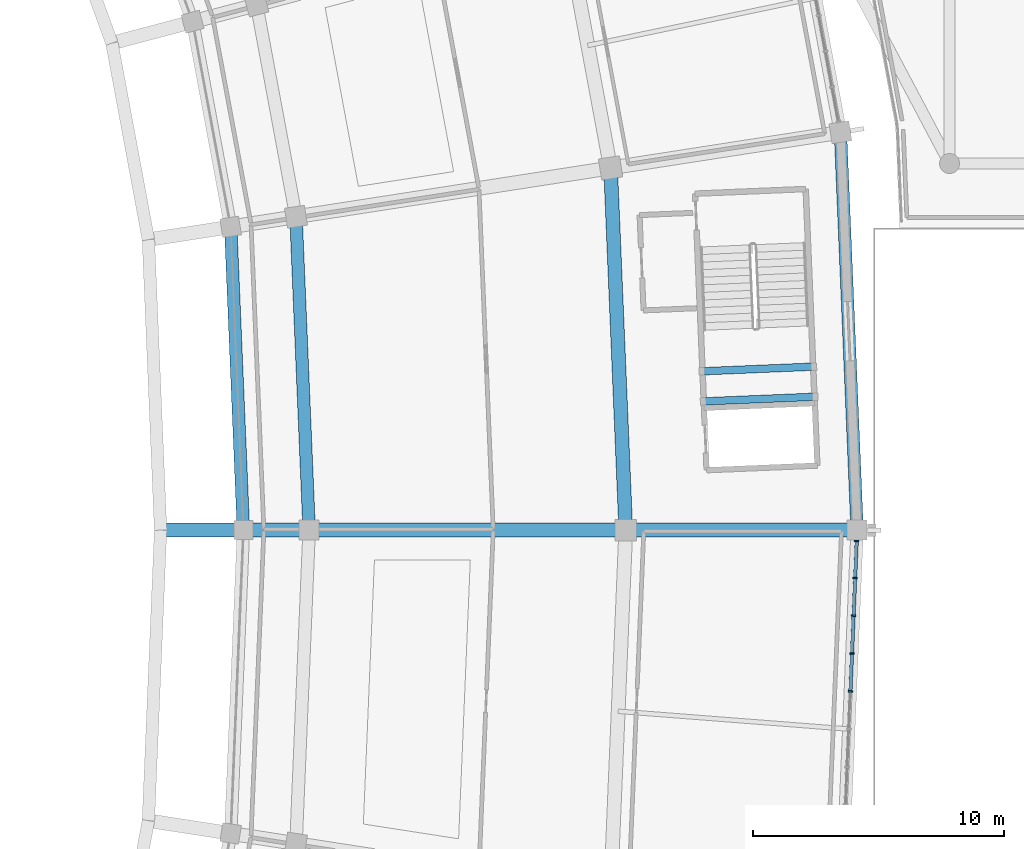
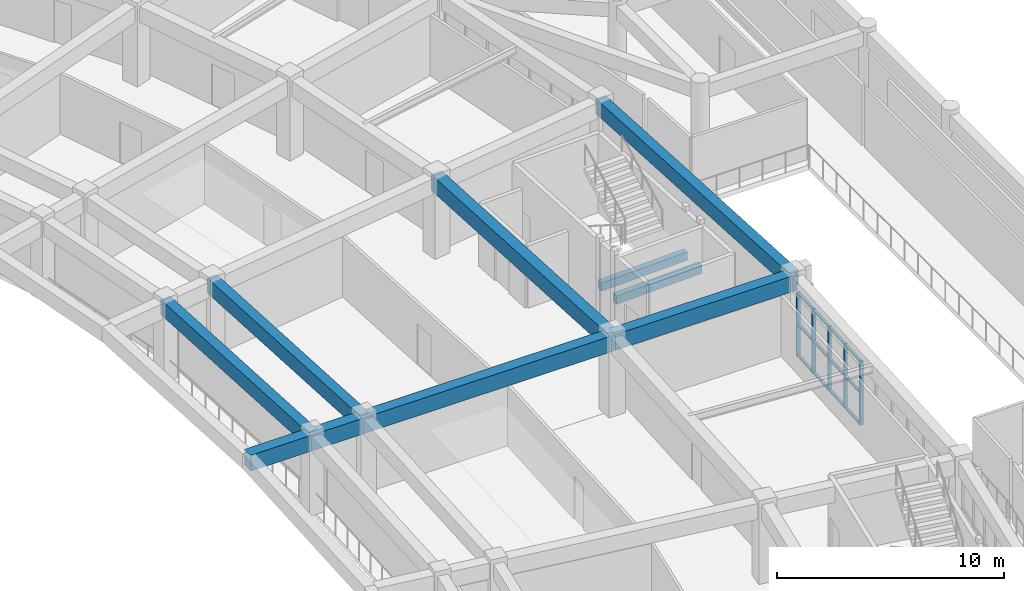
# One storey, part 49 of 145: 17 members, 8 beams, 1 element without a shape of its own.
"""IFC4 building model written with IfcOpenShell, lengths in metres."""

from ifc_helpers import new_model, si_unit, direction, frame, origin, origin_2d, place, context, subcontext, project, spatial, rectangle, extrude, material, layer, layer_set, material_profile, profile_set, type_object, element, aggregate, save


model = new_model("IFC4")

# Units and contexts
model_context = context("Model", 3, precision=1e-05, world=origin(), true_north=direction((0.0, 1.0)))
body_context = subcontext(model_context, "Body", "Model", "MODEL_VIEW")
ifc_project = project(units=[si_unit("LENGTHUNIT", "METRE"), si_unit("AREAUNIT", "SQUARE_METRE"), si_unit("VOLUMEUNIT", "CUBIC_METRE"), si_unit("PLANEANGLEUNIT", "RADIAN"), si_unit("MASSUNIT", "GRAM", prefix="KILO")], contexts=[model_context])

# Site, building, storey
site_placement = place(None, origin())
site = spatial("IfcSite", under=ifc_project, at=site_placement, CompositionType="ELEMENT")
building_placement = place(site_placement, origin())
building = spatial("IfcBuilding", under=site, at=building_placement, Name="Mphavela Belvedere Stadium", CompositionType="ELEMENT")
storey_placement = place(building_placement, frame((0.0, 0.0, 10.199951171875)))
storey = spatial("IfcBuildingStorey", under=building, at=storey_placement, Name="L02", CompositionType="ELEMENT", Elevation=10.199951171875)

# Beams
ifc_material_1 = material(Name="Concrete C40/50", Category="concrete")
ifc_material_profile_1 = material_profile(ifc_material_1, rectangle(XDim=0.300048828125, YDim=0.449951171875, at=origin_2d()), Name="RC 300x450")
ifc_profile_set_1 = profile_set([ifc_material_profile_1], Name="Concrete C40/50")
beam_type_1 = type_object("IfcBeamType", Name="BM-RC300x450", PredefinedType="BEAM", material=ifc_profile_set_1)
for number, where, z_axis, x_axis, name in (
    (1, (211.632080078125, 93.325439453125, 1.824951171875), (0.999122153252, 0.04189179968, 0.0), (-0.04189179968, 0.999122153252, 0.0), "Core C01 landing trimmer beam L02-1"),
    (2, (211.682373046875, 92.12646484375, 1.824951171875), (0.999122153252, 0.04189179968, 0.0), (-0.04189179968, 0.999122153252, 0.0), "Core C01 landing trimmer beam L02-2"),
):
    element("IfcBeam", number, at=place(storey_placement, frame(where, z_axis=z_axis, x_axis=x_axis)), inside=storey, type_object=beam_type_1, Name=name, PredefinedType="BEAM", context=body_context, shape_type="SweptSolid", body=[
        extrude(rectangle(XDim=0.300048828125, YDim=0.449951171875, at=origin_2d()), origin(), (0.0, 0.0, 1.0), 4.469970703125),
    ])
ifc_material_2 = material(Name="Concrete C40/50", Category="concrete")
ifc_material_profile_2 = material_profile(ifc_material_2, rectangle(XDim=0.5, YDim=0.800048828125, at=origin_2d()), Name="RC 500x800")
ifc_profile_set_2 = profile_set([ifc_material_profile_2], Name="Concrete C40/50")
beam_type_2 = type_object("IfcBeamType", Name="BM-RC500x800", PredefinedType="BEAM", material=ifc_profile_set_2)
beam_1_placement = place(storey_placement, frame((193.3759765625, 87.0, 3.85009765625), z_axis=(-0.041906072647, 0.999121554705, 0.0), x_axis=(-0.999121554705, -0.041906072647, 0.0)))
element("IfcBeam", 3, at=beam_1_placement, inside=storey, type_object=beam_type_2, Name="Circumferential girder L02 R1-01", PredefinedType="BEAM", context=body_context, shape_type="SweptSolid", body=[
    extrude(rectangle(XDim=0.5, YDim=0.800048828125, at=origin_2d()), origin(), (0.0, 0.0, 1.0), 12.088623046875),
])
beam_2_placement = place(storey_placement, frame((195.9951171875, 87.0, 3.85009765625), z_axis=(-0.04191911123, 0.999121007743, 0.0), x_axis=(-0.999121007743, -0.04191911123, 0.0)))
element("IfcBeam", 4, at=beam_2_placement, inside=storey, type_object=beam_type_2, Name="Circumferential girder L02 R2-01", PredefinedType="BEAM", context=body_context, shape_type="SweptSolid", body=[
    extrude(rectangle(XDim=0.5, YDim=0.800048828125, at=origin_2d()), origin(), (0.0, 0.0, 1.0), 12.49267578125),
])
ifc_material_3 = material(Name="Concrete C40/50", Category="concrete")
ifc_material_profile_3 = material_profile(ifc_material_3, rectangle(XDim=0.550048828125, YDim=0.85009765625, at=origin_2d()), Name="RC 550x850")
ifc_profile_set_3 = profile_set([ifc_material_profile_3], Name="Concrete C40/50")
beam_type_3 = type_object("IfcBeamType", Name="BM-RC550x850", PredefinedType="BEAM", material=ifc_profile_set_3)
beam_3_placement = place(storey_placement, frame((208.60498046875, 87.0, 3.824951171875), z_axis=(-0.041903450766, 0.99912166467, 0.0), x_axis=(-0.99912166467, -0.041903450766, 0.0)))
element("IfcBeam", 5, at=beam_3_placement, inside=storey, type_object=beam_type_3, Name="Circumferential girder L02 R3-01", PredefinedType="BEAM", context=body_context, shape_type="SweptSolid", body=[
    extrude(rectangle(XDim=0.550048828125, YDim=0.85009765625, at=origin_2d()), origin(), (0.0, 0.0, 1.0), 14.4375),
])
beam_4_placement = place(storey_placement, frame((208.60498046875, 87.0, 3.824951171875), z_axis=(1.0, 0.0, 0.0), x_axis=(0.0, 1.0, 0.0)))
element("IfcBeam", 6, at=beam_4_placement, inside=storey, type_object=beam_type_3, Name="Radial concourse girder L02 R3R4-01", PredefinedType="BEAM", context=body_context, shape_type="SweptSolid", body=[
    extrude(rectangle(XDim=0.550048828125, YDim=0.85009765625, at=origin_2d()), origin(), (0.0, 0.0, 1.0), 9.215087890625),
])
beam_5_placement = place(storey_placement, frame((190.077880859375, 87.0, 3.824951171875), z_axis=(1.0, 0.0, 0.0), x_axis=(0.0, 1.0, 0.0)))
element("IfcBeam", 7, at=beam_5_placement, inside=storey, type_object=beam_type_3, Name="Upper tier box-front outrigger girder 01", PredefinedType="BEAM", context=body_context, shape_type="SweptSolid", body=[
    extrude(rectangle(XDim=0.550048828125, YDim=0.85009765625, at=origin_2d()), origin(), (0.0, 0.0, 1.0), 18.527099609375),
])
ifc_material_4 = material(Name="Concrete C40/50", Category="concrete")
ifc_material_profile_4 = material_profile(ifc_material_4, rectangle(XDim=0.5, YDim=0.800048828125, at=origin_2d()), Name="RC 500x800")
ifc_profile_set_4 = profile_set([ifc_material_profile_4], Name="Concrete C40/50")
beam_type_4 = type_object("IfcBeamType", Name="BM-SPANDREL-800", PredefinedType="SPANDREL", material=ifc_profile_set_4)
beam_6_placement = place(storey_placement, frame((217.820068359375, 87.0, 3.85009765625), z_axis=(-0.041903963155, 0.999121643181, 0.0), x_axis=(-0.999121643181, -0.041903963155, 0.0)))
element("IfcBeam", 8, at=beam_6_placement, inside=storey, type_object=beam_type_4, Name="Circumferential girder L02 R4-01", PredefinedType="SPANDREL", context=body_context, shape_type="SweptSolid", body=[
    extrude(rectangle(XDim=0.5, YDim=0.800048828125, at=origin_2d()), origin(), (0.0, 0.0, 1.0), 15.85888671875),
])

# Curtain wall, members
ifc_material_5 = material(Name="Anodised bronze unitised curtain wall framing")
ifc_layer = layer(ifc_material_5, 0.205078125)
ifc_layer_set = layer_set([ifc_layer], Name="Anodised bronze unitised curtain wall framing")
curtain_wall_type = type_object("IfcCurtainWallType", Name="CW-UNIT-06", PredefinedType="USERDEFINED", material=ifc_layer_set)
curtain_wall_placement = place(storey_placement, origin())
curtain_wall = element("IfcCurtainWall", 9, at=curtain_wall_placement, inside=storey, type_object=curtain_wall_type, Name="Belvedere colonnade curtain wall L02-48", ObjectType="UNITISED CURTAIN WALL", PredefinedType="USERDEFINED")
ifc_material_6 = material(Name="Anodised bronze extruded aluminium", Category="aluminium")
ifc_material_profile_5 = material_profile(ifc_material_6, rectangle(XDim=0.179931640625, YDim=0.06494140625, at=origin_2d()), Name="CW-MUL 180x65")
ifc_profile_set_5 = profile_set([ifc_material_profile_5], Name="Anodised bronze extruded aluminium")
member_type_1 = type_object("IfcMemberType", Name="CWM-180x65", PredefinedType="MULLION", material=ifc_profile_set_5)
member_1_placement = place(storey_placement, frame((217.55078125, 80.58251953125, 0.0), z_axis=(0.0, 0.0, 1.0), x_axis=(-0.999121621767, 0.04190447371, 0.0)))
member_1 = element("IfcMember", 10, at=member_1_placement, type_object=member_type_1, Name="CW-06 mullion 7", PredefinedType="MULLION", context=body_context, shape_type="SweptSolid", body=[
    extrude(rectangle(XDim=0.179931640625, YDim=0.06494140625, at=origin_2d()), origin(), (0.0, 0.0, 1.0), 3.420166015625),
])
member_2_placement = place(storey_placement, frame((217.614013671875, 82.08740234375, 0.0), z_axis=(0.0, 0.0, 1.0), x_axis=(-0.999121621767, 0.04190447371, 0.0)))
member_2 = element("IfcMember", 11, at=member_2_placement, type_object=member_type_1, Name="CW-06 mullion 8", PredefinedType="MULLION", context=body_context, shape_type="SweptSolid", body=[
    extrude(rectangle(XDim=0.179931640625, YDim=0.06494140625, at=origin_2d()), origin(), (0.0, 0.0, 1.0), 3.420166015625),
])
member_3_placement = place(storey_placement, frame((217.677001953125, 83.59228515625, 0.0), z_axis=(0.0, 0.0, 1.0), x_axis=(-0.999121621767, 0.04190447371, 0.0)))
member_3 = element("IfcMember", 12, at=member_3_placement, type_object=member_type_1, Name="CW-06 mullion 9", PredefinedType="MULLION", context=body_context, shape_type="SweptSolid", body=[
    extrude(rectangle(XDim=0.179931640625, YDim=0.06494140625, at=origin_2d()), origin(), (0.0, 0.0, 1.0), 3.420166015625),
])
member_4_placement = place(storey_placement, frame((217.740234375, 85.097412109375, 0.0), z_axis=(0.0, 0.0, 1.0), x_axis=(-0.999121621767, 0.04190447371, 0.0)))
member_4 = element("IfcMember", 13, at=member_4_placement, type_object=member_type_1, Name="CW-06 mullion 10", PredefinedType="MULLION", context=body_context, shape_type="SweptSolid", body=[
    extrude(rectangle(XDim=0.179931640625, YDim=0.06494140625, at=origin_2d()), origin(), (0.0, 0.0, 1.0), 3.420166015625),
])
member_5_placement = place(storey_placement, frame((217.802001953125, 86.56982421875, 0.0), z_axis=(0.0, 0.0, 1.0), x_axis=(-0.999121621767, 0.04190447371, 0.0)))
member_5 = element("IfcMember", 14, at=member_5_placement, type_object=member_type_1, Name="CW-06 mullion 11", PredefinedType="MULLION", context=body_context, shape_type="SweptSolid", body=[
    extrude(rectangle(XDim=0.179931640625, YDim=0.06494140625, at=origin_2d()), origin(), (0.0, 0.0, 1.0), 3.420166015625),
])
ifc_material_7 = material(Name="Anodised bronze extruded aluminium", Category="aluminium")
ifc_material_profile_6 = material_profile(ifc_material_7, rectangle(XDim=0.139892578125, YDim=0.06005859375, at=origin_2d()), Name="CW-TRN 140x60")
ifc_profile_set_6 = profile_set([ifc_material_profile_6], Name="Anodised bronze extruded aluminium")
member_type_2 = type_object("IfcMemberType", Name="CWT-140x60", PredefinedType="USERDEFINED", material=ifc_profile_set_6)
member_6_placement = place(storey_placement, frame((217.55224609375, 80.614990234375, 0.030029296875), z_axis=(0.04184192744, 0.999124243079, 0.0), x_axis=(-0.999124243079, 0.04184192744, 0.0)))
member_6 = element("IfcMember", 15, at=member_6_placement, type_object=member_type_2, Name="CW-06 transom 7.1", ObjectType="TRANSOM", PredefinedType="USERDEFINED", context=body_context, shape_type="SweptSolid", body=[
    extrude(rectangle(XDim=0.139892578125, YDim=0.06005859375, at=origin_2d()), origin(), (0.0, 0.0, 1.0), 1.441162109375),
])
member_7_placement = place(storey_placement, frame((217.55224609375, 80.614990234375, 1.7099609375), z_axis=(0.04184192744, 0.999124243079, 0.0), x_axis=(-0.999124243079, 0.04184192744, 0.0)))
member_7 = element("IfcMember", 16, at=member_7_placement, type_object=member_type_2, Name="CW-06 transom 7.2", ObjectType="TRANSOM", PredefinedType="USERDEFINED", context=body_context, shape_type="SweptSolid", body=[
    extrude(rectangle(XDim=0.139892578125, YDim=0.06005859375, at=origin_2d()), origin(), (0.0, 0.0, 1.0), 1.441162109375),
])
member_8_placement = place(storey_placement, frame((217.55224609375, 80.614990234375, 3.39013671875), z_axis=(0.04184192744, 0.999124243079, 0.0), x_axis=(-0.999124243079, 0.04184192744, 0.0)))
member_8 = element("IfcMember", 17, at=member_8_placement, type_object=member_type_2, Name="CW-06 transom 7.3", ObjectType="TRANSOM", PredefinedType="USERDEFINED", context=body_context, shape_type="SweptSolid", body=[
    extrude(rectangle(XDim=0.139892578125, YDim=0.06005859375, at=origin_2d()), origin(), (0.0, 0.0, 1.0), 1.441162109375),
])
member_9_placement = place(storey_placement, frame((217.615234375, 82.119873046875, 0.030029296875), z_axis=(0.042011029578, 0.999117146982, 0.0), x_axis=(-0.999117146982, 0.042011029578, 0.0)))
member_9 = element("IfcMember", 18, at=member_9_placement, type_object=member_type_2, Name="CW-06 transom 8.1", ObjectType="TRANSOM", PredefinedType="USERDEFINED", context=body_context, shape_type="SweptSolid", body=[
    extrude(rectangle(XDim=0.139892578125, YDim=0.06005859375, at=origin_2d()), origin(), (0.0, 0.0, 1.0), 1.441162109375),
])
member_10_placement = place(storey_placement, frame((217.615234375, 82.119873046875, 1.7099609375), z_axis=(0.042011029578, 0.999117146982, 0.0), x_axis=(-0.999117146982, 0.042011029578, 0.0)))
member_10 = element("IfcMember", 19, at=member_10_placement, type_object=member_type_2, Name="CW-06 transom 8.2", ObjectType="TRANSOM", PredefinedType="USERDEFINED", context=body_context, shape_type="SweptSolid", body=[
    extrude(rectangle(XDim=0.139892578125, YDim=0.06005859375, at=origin_2d()), origin(), (0.0, 0.0, 1.0), 1.441162109375),
])
member_11_placement = place(storey_placement, frame((217.615234375, 82.119873046875, 3.39013671875), z_axis=(0.042011029578, 0.999117146982, 0.0), x_axis=(-0.999117146982, 0.042011029578, 0.0)))
member_11 = element("IfcMember", 20, at=member_11_placement, type_object=member_type_2, Name="CW-06 transom 8.3", ObjectType="TRANSOM", PredefinedType="USERDEFINED", context=body_context, shape_type="SweptSolid", body=[
    extrude(rectangle(XDim=0.139892578125, YDim=0.06005859375, at=origin_2d()), origin(), (0.0, 0.0, 1.0), 1.441162109375),
])
member_12_placement = place(storey_placement, frame((217.678466796875, 83.624755859375, 0.030029296875), z_axis=(0.041834846801, 0.999124539581, 0.0), x_axis=(-0.999124539581, 0.041834846801, 0.0)))
member_12 = element("IfcMember", 21, at=member_12_placement, type_object=member_type_2, Name="CW-06 transom 9.1", ObjectType="TRANSOM", PredefinedType="USERDEFINED", context=body_context, shape_type="SweptSolid", body=[
    extrude(rectangle(XDim=0.139892578125, YDim=0.06005859375, at=origin_2d()), origin(), (0.0, 0.0, 1.0), 1.44140625),
])
member_13_placement = place(storey_placement, frame((217.678466796875, 83.624755859375, 1.7099609375), z_axis=(0.041834846801, 0.999124539581, 0.0), x_axis=(-0.999124539581, 0.041834846801, 0.0)))
member_13 = element("IfcMember", 22, at=member_13_placement, type_object=member_type_2, Name="CW-06 transom 9.2", ObjectType="TRANSOM", PredefinedType="USERDEFINED", context=body_context, shape_type="SweptSolid", body=[
    extrude(rectangle(XDim=0.139892578125, YDim=0.06005859375, at=origin_2d()), origin(), (0.0, 0.0, 1.0), 1.44140625),
])
member_14_placement = place(storey_placement, frame((217.678466796875, 83.624755859375, 3.39013671875), z_axis=(0.041834846801, 0.999124539581, 0.0), x_axis=(-0.999124539581, 0.041834846801, 0.0)))
member_14 = element("IfcMember", 23, at=member_14_placement, type_object=member_type_2, Name="CW-06 transom 9.3", ObjectType="TRANSOM", PredefinedType="USERDEFINED", context=body_context, shape_type="SweptSolid", body=[
    extrude(rectangle(XDim=0.139892578125, YDim=0.06005859375, at=origin_2d()), origin(), (0.0, 0.0, 1.0), 1.44140625),
])
member_15_placement = place(storey_placement, frame((217.741455078125, 85.1298828125, 0.030029296875), z_axis=(0.041940514571, 0.999120109515, 0.0), x_axis=(-0.999120109515, 0.041940514571, 0.0)))
member_15 = element("IfcMember", 24, at=member_15_placement, type_object=member_type_2, Name="CW-06 transom 10.1", ObjectType="TRANSOM", PredefinedType="USERDEFINED", context=body_context, shape_type="SweptSolid", body=[
    extrude(rectangle(XDim=0.139892578125, YDim=0.06005859375, at=origin_2d()), origin(), (0.0, 0.0, 1.0), 1.40869140625),
])
member_16_placement = place(storey_placement, frame((217.741455078125, 85.1298828125, 1.7099609375), z_axis=(0.041940514571, 0.999120109515, 0.0), x_axis=(-0.999120109515, 0.041940514571, 0.0)))
member_16 = element("IfcMember", 25, at=member_16_placement, type_object=member_type_2, Name="CW-06 transom 10.2", ObjectType="TRANSOM", PredefinedType="USERDEFINED", context=body_context, shape_type="SweptSolid", body=[
    extrude(rectangle(XDim=0.139892578125, YDim=0.06005859375, at=origin_2d()), origin(), (0.0, 0.0, 1.0), 1.40869140625),
])
member_17_placement = place(storey_placement, frame((217.741455078125, 85.1298828125, 3.39013671875), z_axis=(0.041940514571, 0.999120109515, 0.0), x_axis=(-0.999120109515, 0.041940514571, 0.0)))
member_17 = element("IfcMember", 26, at=member_17_placement, type_object=member_type_2, Name="CW-06 transom 10.3", ObjectType="TRANSOM", PredefinedType="USERDEFINED", context=body_context, shape_type="SweptSolid", body=[
    extrude(rectangle(XDim=0.139892578125, YDim=0.06005859375, at=origin_2d()), origin(), (0.0, 0.0, 1.0), 1.40869140625),
])
aggregate(curtain_wall, [member_1, member_2, member_3, member_4, member_5, member_6, member_7, member_8, member_9, member_10, member_11, member_12, member_13, member_14, member_15, member_16, member_17])

save(model, "model.ifc")
